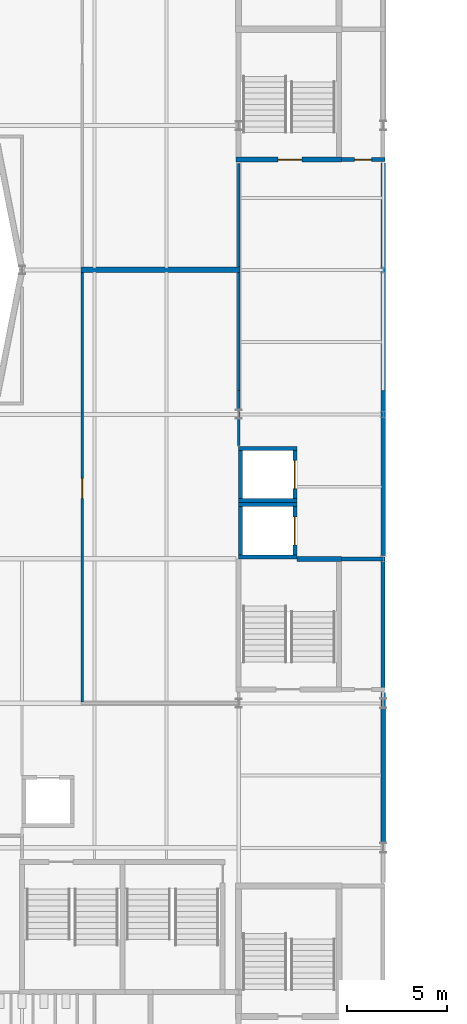
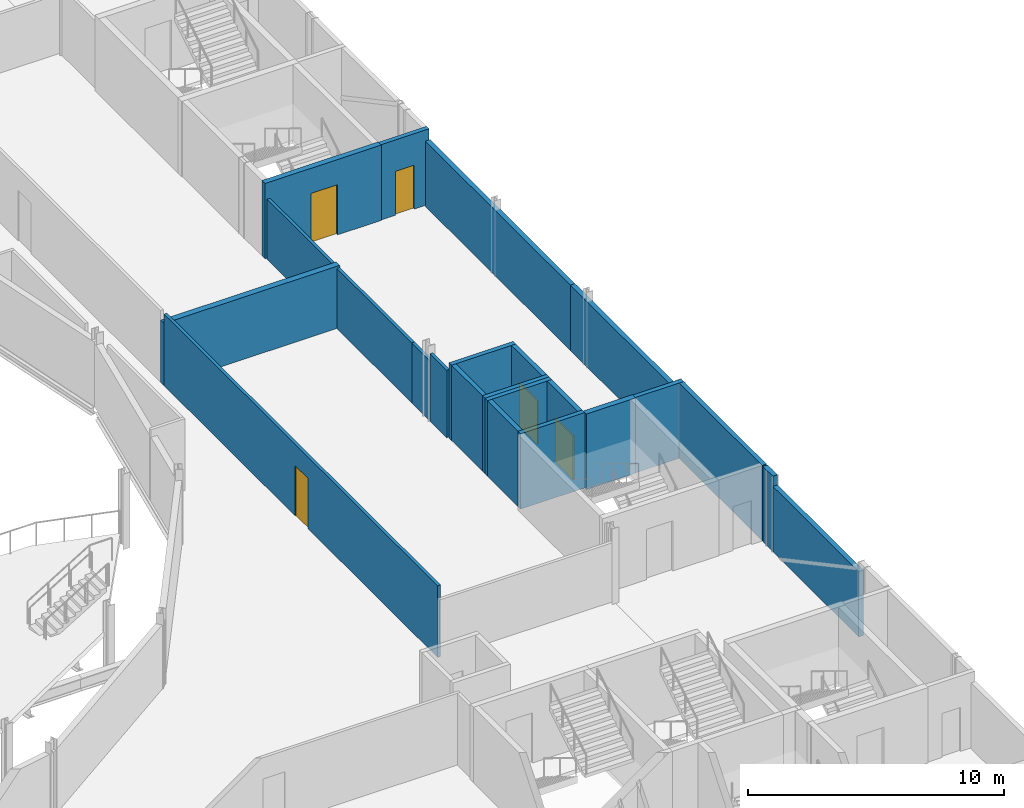
# One storey, part 70 of 124: 23 walls, 5 doors, 5 openings.
"""IFC4 building model written with IfcOpenShell, lengths in metres."""

from ifc_helpers import new_model, si_unit, direction, frame, frame_2d, origin, place, context, subcontext, project, spatial, rectangle, extrude, material, layer, layer_set, type_object, element, fill, save


model = new_model("IFC4")

# Units and contexts
model_context = context("Model", 3, precision=1e-05, world=origin(), true_north=direction((0.0, 1.0)))
body_context = subcontext(model_context, "Body", "Model", "MODEL_VIEW")
ifc_project = project(units=[si_unit("LENGTHUNIT", "METRE"), si_unit("AREAUNIT", "SQUARE_METRE"), si_unit("VOLUMEUNIT", "CUBIC_METRE"), si_unit("PLANEANGLEUNIT", "RADIAN"), si_unit("MASSUNIT", "GRAM", prefix="KILO")], contexts=[model_context])

# Site, building, storey
site_placement = place(None, origin())
site = spatial("IfcSite", under=ifc_project, at=site_placement, CompositionType="ELEMENT")
building_placement = place(site_placement, origin())
building = spatial("IfcBuilding", under=site, at=building_placement, Name="Kupolbacken Congress Centre", CompositionType="ELEMENT")
storey_placement = place(building_placement, frame((0.0, 0.0, 10.800048828125)))
storey = spatial("IfcBuildingStorey", under=building, at=storey_placement, Name="L03", CompositionType="ELEMENT", Elevation=10.800048828125)

# Walls
ifc_material_1 = material(Name="Gypsum board", Category="drywall")
ifc_layer_1 = layer(ifc_material_1, 0.135009765625)
ifc_layer_set_1 = layer_set([ifc_layer_1], Name="Gypsum board")
wall_type_1 = type_object("IfcWallType", Name="P06 compartment wall 135", PredefinedType="PARTITIONING", material=ifc_layer_set_1)
wall_1_placement = place(storey_placement, frame((79.199951171875, 77.659912109375, 0.0), z_axis=(0.0, 0.0, 1.0), x_axis=(0.0, 1.0, 0.0)))
element("IfcWall", 1, at=wall_1_placement, inside=storey, type_object=wall_type_1, Name="PD/L03/W011", PredefinedType="PARTITIONING", context=body_context, shape_type="SweptSolid", body=[
    extrude(rectangle(XDim=1.315185546875, YDim=0.135009765625, at=frame_2d((0.65771484375, 0.0))), origin(), (0.0, 0.0, 1.0), 3.219970703125),
])
wall_2_placement = place(storey_placement, frame((79.199951171875, 86.262451171875, 0.0), z_axis=(0.0, 0.0, 1.0), x_axis=(0.0, -1.0, 0.0)))
element("IfcWall", 2, at=wall_2_placement, inside=storey, type_object=wall_type_1, Name="PD/L03/W013", PredefinedType="PARTITIONING", context=body_context, shape_type="SweptSolid", body=[
    extrude(rectangle(XDim=5.862548828125, YDim=0.135009765625, at=frame_2d((2.93115234375, 0.0))), origin(), (0.0, 0.0, 1.0), 2.869873046875),
])
wall_3_placement = place(storey_placement, frame((79.199951171875, 91.715087890625, 0.0), z_axis=(0.0, 0.0, 1.0), x_axis=(0.0, -1.0, 0.0)))
element("IfcWall", 3, at=wall_3_placement, inside=storey, type_object=wall_type_1, Name="PD/L03/W014", PredefinedType="PARTITIONING", context=body_context, shape_type="SweptSolid", body=[
    extrude(rectangle(XDim=5.177490234375, YDim=0.135009765625, at=frame_2d((2.5888671875, 0.0))), origin(), (0.0, 0.0, 1.0), 2.869873046875),
])

# Wall, opening, door
wall_4_placement = place(storey_placement, frame((71.39990234375, 64.867431640625, 0.0), z_axis=(0.0, 0.0, 1.0), x_axis=(0.0, 1.0, 0.0)))
wall_4 = element("IfcWall", 4, at=wall_4_placement, inside=storey, type_object=wall_type_1, Name="PD/L03/W071", PredefinedType="PARTITIONING", context=body_context, shape_type="SweptSolid", body=[
    extrude(rectangle(XDim=21.39501953125, YDim=0.135009765625, at=frame_2d((10.697509765625, 0.0))), origin(), (0.0, 0.0, 1.0), 3.419921875),
])
opening_1_placement = place(wall_4_placement, frame((10.14990234375, 0.0, 0.0)))
opening_1 = element("IfcOpeningElement", 5, at=opening_1_placement, cuts=wall_4, Name="Opening 3.P17", PredefinedType="OPENING", context=body_context, shape_type="SweptSolid", body=[
    extrude(rectangle(XDim=1.0, YDim=2.39990234375, at=frame_2d((0.5, 1.199951171875))), frame((0.0, 0.077392578125, 0.0), z_axis=(0.0, -1.0, 0.0), x_axis=(1.0, 0.0, 0.0)), (0.0, 0.0, 1.0), 0.155029296875),
])
ifc_material_2 = material(Name="Steel fire door leaf", Category="steel")
door_type_1 = type_object("IfcDoorType", Name="D8 fire door 1000x2400", OperationType="SINGLE_SWING_LEFT", PredefinedType="DOOR", material=ifc_material_2)
door_1_placement = place(opening_1_placement, frame((1.0, 0.0, 0.0), z_axis=(0.0, 0.0, 1.0), x_axis=(-1.0, 0.0, 0.0)))
door_1 = element("IfcDoor", 6, at=door_1_placement, inside=storey, type_object=door_type_1, Name="PD/L03/W071/D3P17", OperationType="SINGLE_SWING_LEFT", OverallHeight=2.39990234375, OverallWidth=1.0, PredefinedType="DOOR", context=body_context, shape_type="SweptSolid", body=[
    extrude(rectangle(XDim=1.0, YDim=2.39990234375, at=frame_2d((0.5, 1.199951171875))), frame((0.0, 0.02490234375, 0.0), z_axis=(0.0, -1.0, 0.0), x_axis=(1.0, 0.0, 0.0)), (0.0, 0.0, 1.0), 0.050048828125),
])
fill(opening_1, door_1)

# Walls
wall_5_placement = place(storey_placement, frame((79.199951171875, 78.97509765625, 0.0), z_axis=(0.0, 0.0, 1.0), x_axis=(0.0, 1.0, 0.0)))
element("IfcWall", 7, at=wall_5_placement, inside=storey, type_object=wall_type_1, Name="PD/L03/W011.h1", PredefinedType="PARTITIONING", context=body_context, shape_type="SweptSolid", body=[
    extrude(rectangle(XDim=1.4248046875, YDim=0.135009765625, at=frame_2d((0.71240234375, 0.0))), origin(), (0.0, 0.0, 1.0), 2.869873046875),
])
ifc_material_3 = material(Name="Gypsum board", Category="drywall")
ifc_layer_2 = layer(ifc_material_3, 0.27490234375)
ifc_layer_set_2 = layer_set([ifc_layer_2], Name="Gypsum board")
wall_type_2 = type_object("IfcWallType", Name="P12 partition 275", PredefinedType="PARTITIONING", material=ifc_layer_set_2)
wall_6_placement = place(storey_placement, frame((71.33251953125, 86.39990234375, 0.0), z_axis=(0.0, 0.0, 1.0), x_axis=(1.0, 0.0, 0.0)))
element("IfcWall", 8, at=wall_6_placement, inside=storey, type_object=wall_type_2, Name="PD/L03/W069", PredefinedType="PARTITIONING", context=body_context, shape_type="SweptSolid", body=[
    extrude(rectangle(XDim=7.93505859375, YDim=0.27490234375, at=frame_2d((3.967529296875, 0.0))), origin(), (0.0, 0.0, 1.0), 2.969970703125),
])
ifc_material_4 = material(Name="Dense concrete block", Category="masonry")
ifc_layer_3 = layer(ifc_material_4, 0.215087890625)
ifc_layer_set_3 = layer_set([ifc_layer_3], Name="Dense concrete block")
wall_type_3 = type_object("IfcWallType", Name="P15 partition 215", PredefinedType="PARTITIONING", material=ifc_layer_set_3)
wall_7_placement = place(storey_placement, frame((86.39990234375, 80.39990234375, 0.0), z_axis=(0.0, 0.0, 1.0), x_axis=(0.0, -1.0, 0.0)))
element("IfcWall", 9, at=wall_7_placement, inside=storey, type_object=wall_type_3, Name="PD/L03/W012", PredefinedType="PARTITIONING", context=body_context, shape_type="SweptSolid", body=[
    extrude(rectangle(XDim=8.239990234375, YDim=0.215087890625, at=frame_2d((4.1201171875, 0.0))), origin(), (0.0, 0.0, 1.0), 3.119873046875),
])
wall_8_placement = place(storey_placement, frame((86.39990234375, 80.39990234375, 0.0), z_axis=(0.0, 0.0, 1.0), x_axis=(0.0, 1.0, 0.0)))
element("IfcWall", 10, at=wall_8_placement, inside=storey, type_object=wall_type_3, Name="PD/L03/W015", PredefinedType="PARTITIONING", context=body_context, shape_type="SweptSolid", body=[
    extrude(rectangle(XDim=11.340087890625, YDim=0.215087890625, at=frame_2d((5.669921875, 0.0))), origin(), (0.0, 0.0, 1.0), 3.119873046875),
])
wall_9_placement = place(storey_placement, frame((86.39990234375, 57.844970703125, 0.0), z_axis=(0.0, 0.0, 1.0), x_axis=(0.0, 1.0, 0.0)))
element("IfcWall", 11, at=wall_9_placement, inside=storey, type_object=wall_type_3, Name="PD/L03/W010.h1", PredefinedType="PARTITIONING", context=body_context, shape_type="SweptSolid", body=[
    extrude(rectangle(XDim=6.7099609375, YDim=0.215087890625, at=frame_2d((3.35498046875, 0.0))), origin(), (0.0, 0.0, 1.0), 3.119873046875),
])
wall_10_placement = place(storey_placement, frame((86.39990234375, 64.554931640625, 0.0), z_axis=(0.0, 0.0, 1.0), x_axis=(0.0, 1.0, 0.0)))
element("IfcWall", 12, at=wall_10_placement, inside=storey, type_object=wall_type_3, Name="PD/L03/W010.h2", PredefinedType="PARTITIONING", context=body_context, shape_type="SweptSolid", body=[
    extrude(rectangle(XDim=0.78515625, YDim=0.215087890625, at=frame_2d((0.392578125, 0.0))), origin(), (0.0, 0.0, 1.0), 3.599853515625),
])
ifc_material_5 = material(Name="Concrete C40/50", Category="concrete")
ifc_layer_4 = layer(ifc_material_5, 0.199951171875)
ifc_layer_set_4 = layer_set([ifc_layer_4], Name="Concrete C40/50")
wall_type_4 = type_object("IfcWallType", Name="WC1 RC shaft wall 200", PredefinedType="SHEAR", material=ifc_layer_set_4)
wall_11_placement = place(storey_placement, frame((86.39990234375, 65.39990234375, 0.0), z_axis=(0.0, 0.0, 1.0), x_axis=(0.0, 1.0, 0.0)))
element("IfcWall", 13, at=wall_11_placement, inside=storey, type_object=wall_type_4, Name="Shaft wall L03-048", PredefinedType="SHEAR", context=body_context, shape_type="SweptSolid", body=[
    extrude(rectangle(XDim=6.7001953125, YDim=0.199951171875, at=frame_2d((3.35009765625, 0.0))), origin(), (0.0, 0.0, 1.0), 3.599853515625),
])
wall_12_placement = place(storey_placement, frame((86.5, 72.0, 0.0), z_axis=(0.0, 0.0, 1.0), x_axis=(-1.0, 0.0, 0.0)))
element("IfcWall", 14, at=wall_12_placement, inside=storey, type_object=wall_type_4, Name="Shaft wall L03-051", PredefinedType="SHEAR", context=body_context, shape_type="SweptSolid", body=[
    extrude(rectangle(XDim=2.175048828125, YDim=0.199951171875, at=frame_2d((1.08740234375, 0.0))), origin(), (0.0, 0.0, 1.0), 3.599853515625),
])

# Wall, opening, door
wall_13_placement = place(storey_placement, frame((84.324951171875, 91.89990234375, 0.0), z_axis=(0.0, 0.0, 1.0), x_axis=(1.0, 0.0, 0.0)))
wall_13 = element("IfcWall", 15, at=wall_13_placement, inside=storey, type_object=wall_type_4, Name="Shaft wall L03-053", PredefinedType="SHEAR", context=body_context, shape_type="SweptSolid", body=[
    extrude(rectangle(XDim=2.175048828125, YDim=0.199951171875, at=frame_2d((1.08740234375, 0.0))), origin(), (0.0, 0.0, 1.0), 3.599853515625),
])
opening_2_placement = place(wall_13_placement, frame((0.64990234375, 0.0, 0.0)))
opening_2 = element("IfcOpeningElement", 16, at=opening_2_placement, cuts=wall_13, Name="Opening 3.L08", PredefinedType="OPENING", context=body_context, shape_type="SweptSolid", body=[
    extrude(rectangle(XDim=0.85009765625, YDim=2.10009765625, at=frame_2d((0.425048828125, 1.050048828125))), frame((0.0, 0.10986328125, 0.0), z_axis=(0.0, -1.0, 0.0), x_axis=(1.0, 0.0, 0.0)), (0.0, 0.0, 1.0), 0.219970703125),
])
ifc_material_6 = material(Name="Steel fire door leaf", Category="steel")
door_type_2 = type_object("IfcDoorType", Name="D3 fire door 850x2100", OperationType="SINGLE_SWING_LEFT", PredefinedType="DOOR", material=ifc_material_6)
door_2_placement = place(opening_2_placement, origin())
door_2 = element("IfcDoor", 17, at=door_2_placement, inside=storey, type_object=door_type_2, Name="S/core/L03/053/D3L08", OperationType="SINGLE_SWING_LEFT", OverallHeight=2.10009765625, OverallWidth=0.85009765625, PredefinedType="DOOR", context=body_context, shape_type="SweptSolid", body=[
    extrude(rectangle(XDim=0.85009765625, YDim=2.10009765625, at=frame_2d((0.425048828125, 1.050048828125))), frame((0.0, 0.02490234375, 0.0), z_axis=(0.0, -1.0, 0.0), x_axis=(1.0, 0.0, 0.0)), (0.0, 0.0, 1.0), 0.050048828125),
])
fill(opening_2, door_2)

# Walls
for number, where, z_axis, x_axis, name in (
    (18, (79.199951171875, 72.10009765625, 0.0), (0.0, 0.0, 1.0), (1.0, 0.0, 0.0), "Shaft wall LG3"),
    (19, (79.199951171875, 74.699951171875, 0.0), (0.0, 0.0, 1.0), (1.0, 0.0, 0.0), "Shaft wall LG3"),
):
    element("IfcWall", number, at=place(storey_placement, frame(where, z_axis=z_axis, x_axis=x_axis)), inside=storey, type_object=wall_type_4, Name=name, PredefinedType="SHEAR", context=body_context, shape_type="SweptSolid", body=[
        extrude(rectangle(XDim=2.900146484375, YDim=0.199951171875, at=frame_2d((1.4501953125, 0.0))), origin(), (0.0, 0.0, 1.0), 3.599853515625),
    ])
wall_14_placement = place(storey_placement, frame((79.300048828125, 72.199951171875, 0.0), z_axis=(0.0, 0.0, 1.0), x_axis=(0.0, 1.0, 0.0)))
element("IfcWall", 20, at=wall_14_placement, inside=storey, type_object=wall_type_4, Name="Shaft wall LG3", PredefinedType="SHEAR", context=body_context, shape_type="SweptSolid", body=[
    extrude(rectangle(XDim=2.400146484375, YDim=0.199951171875, at=frame_2d((1.2001953125, 0.0))), origin(), (0.0, 0.0, 1.0), 3.599853515625),
])

# Wall, opening, door
wall_15_placement = place(storey_placement, frame((82.0, 72.199951171875, 0.0), z_axis=(0.0, 0.0, 1.0), x_axis=(0.0, 1.0, 0.0)))
wall_15 = element("IfcWall", 21, at=wall_15_placement, inside=storey, type_object=wall_type_4, Name="Shaft wall LG3", PredefinedType="SHEAR", context=body_context, shape_type="SweptSolid", body=[
    extrude(rectangle(XDim=2.400146484375, YDim=0.199951171875, at=frame_2d((1.2001953125, 0.0))), origin(), (0.0, 0.0, 1.0), 3.599853515625),
])
opening_3_placement = place(wall_15_placement, frame((0.5, 0.0, 0.0)))
opening_3 = element("IfcOpeningElement", 22, at=opening_3_placement, cuts=wall_15, Name="Opening LD3", PredefinedType="OPENING", context=body_context, shape_type="SweptSolid", body=[
    extrude(rectangle(XDim=1.39990234375, YDim=2.10009765625, at=frame_2d((0.699951171875, 1.050048828125))), frame((0.0, 0.10986328125, 0.0), z_axis=(0.0, -1.0, 0.0), x_axis=(1.0, 0.0, 0.0)), (0.0, 0.0, 1.0), 0.219970703125),
])
ifc_material_7 = material(Name="Stainless steel door leaf", Category="steel")
door_type_3 = type_object("IfcDoorType", Name="LD3 lift landing door 1400x2100", OperationType="SLIDING_TO_LEFT", PredefinedType="DOOR", material=ifc_material_7)
door_3_placement = place(opening_3_placement, origin())
door_3 = element("IfcDoor", 23, at=door_3_placement, inside=storey, type_object=door_type_3, Name="Lift landing door LG3", OperationType="SLIDING_TO_LEFT", OverallHeight=2.10009765625, OverallWidth=1.39990234375, PredefinedType="DOOR", context=body_context, shape_type="SweptSolid", body=[
    extrude(rectangle(XDim=1.39990234375, YDim=2.10009765625, at=frame_2d((0.699951171875, 1.050048828125))), frame((0.0, 0.02490234375, 0.0), z_axis=(0.0, -1.0, 0.0), x_axis=(1.0, 0.0, 0.0)), (0.0, 0.0, 1.0), 0.050048828125),
])
fill(opening_3, door_3)

# Walls
for number, where, z_axis, x_axis, name in (
    (24, (79.199951171875, 74.89990234375, 0.0), (0.0, 0.0, 1.0), (1.0, 0.0, 0.0), "Shaft wall LG4"),
    (25, (79.199951171875, 77.5, 0.0), (0.0, 0.0, 1.0), (1.0, 0.0, 0.0), "Shaft wall LG4"),
):
    element("IfcWall", number, at=place(storey_placement, frame(where, z_axis=z_axis, x_axis=x_axis)), inside=storey, type_object=wall_type_4, Name=name, PredefinedType="SHEAR", context=body_context, shape_type="SweptSolid", body=[
        extrude(rectangle(XDim=2.900146484375, YDim=0.199951171875, at=frame_2d((1.4501953125, 0.0))), origin(), (0.0, 0.0, 1.0), 3.599853515625),
    ])
wall_16_placement = place(storey_placement, frame((79.300048828125, 75.0, 0.0), z_axis=(0.0, 0.0, 1.0), x_axis=(0.0, 1.0, 0.0)))
element("IfcWall", 26, at=wall_16_placement, inside=storey, type_object=wall_type_4, Name="Shaft wall LG4", PredefinedType="SHEAR", context=body_context, shape_type="SweptSolid", body=[
    extrude(rectangle(XDim=2.39990234375, YDim=0.199951171875, at=frame_2d((1.199951171875, 0.0))), origin(), (0.0, 0.0, 1.0), 3.599853515625),
])

# Wall, opening, door
wall_17_placement = place(storey_placement, frame((82.0, 75.0, 0.0), z_axis=(0.0, 0.0, 1.0), x_axis=(0.0, 1.0, 0.0)))
wall_17 = element("IfcWall", 27, at=wall_17_placement, inside=storey, type_object=wall_type_4, Name="Shaft wall LG4", PredefinedType="SHEAR", context=body_context, shape_type="SweptSolid", body=[
    extrude(rectangle(XDim=2.39990234375, YDim=0.199951171875, at=frame_2d((1.199951171875, 0.0))), origin(), (0.0, 0.0, 1.0), 3.599853515625),
])
opening_4_placement = place(wall_17_placement, frame((0.5, 0.0, 0.0)))
opening_4 = element("IfcOpeningElement", 28, at=opening_4_placement, cuts=wall_17, Name="Opening LD3", PredefinedType="OPENING", context=body_context, shape_type="SweptSolid", body=[
    extrude(rectangle(XDim=1.39990234375, YDim=2.10009765625, at=frame_2d((0.699951171875, 1.050048828125))), frame((0.0, 0.10986328125, 0.0), z_axis=(0.0, -1.0, 0.0), x_axis=(1.0, 0.0, 0.0)), (0.0, 0.0, 1.0), 0.219970703125),
])
door_4_placement = place(opening_4_placement, origin())
door_4 = element("IfcDoor", 29, at=door_4_placement, inside=storey, type_object=door_type_3, Name="Lift landing door LG4", OperationType="SLIDING_TO_LEFT", OverallHeight=2.10009765625, OverallWidth=1.39990234375, PredefinedType="DOOR", context=body_context, shape_type="SweptSolid", body=[
    extrude(rectangle(XDim=1.39990234375, YDim=2.10009765625, at=frame_2d((0.699951171875, 1.050048828125))), frame((0.0, 0.02490234375, 0.0), z_axis=(0.0, -1.0, 0.0), x_axis=(1.0, 0.0, 0.0)), (0.0, 0.0, 1.0), 0.050048828125),
])
fill(opening_4, door_4)

# Wall
ifc_material_8 = material(Name="Concrete C40/50", Category="concrete")
ifc_layer_5 = layer(ifc_material_8, 0.25)
ifc_layer_set_5 = layer_set([ifc_layer_5], Name="Concrete C40/50")
wall_type_5 = type_object("IfcWallType", Name="WC2 RC stair enclosure wall 250", PredefinedType="SHEAR", material=ifc_layer_set_5)
wall_18_placement = place(storey_placement, frame((82.10009765625, 72.0, 0.0), z_axis=(0.0, 0.0, 1.0), x_axis=(1.0, 0.0, 0.0)))
element("IfcWall", 30, at=wall_18_placement, inside=storey, type_object=wall_type_5, Name="Stair enclosure wall L03-050", PredefinedType="SHEAR", context=body_context, shape_type="SweptSolid", body=[
    extrude(rectangle(XDim=2.224853515625, YDim=0.25, at=frame_2d((1.1123046875, 0.0))), origin(), (0.0, 0.0, 1.0), 3.599853515625),
])

# Wall, opening, door
wall_19_placement = place(storey_placement, frame((79.074951171875, 91.89990234375, 0.0), z_axis=(0.0, 0.0, 1.0), x_axis=(1.0, 0.0, 0.0)))
wall_19 = element("IfcWall", 31, at=wall_19_placement, inside=storey, type_object=wall_type_5, Name="Stair enclosure wall L03-052", PredefinedType="SHEAR", context=body_context, shape_type="SweptSolid", body=[
    extrude(rectangle(XDim=5.25, YDim=0.25, at=frame_2d((2.625, 0.0))), origin(), (0.0, 0.0, 1.0), 3.599853515625),
])
opening_5_placement = place(wall_19_placement, frame((2.074951171875, 0.0, 0.0)))
opening_5 = element("IfcOpeningElement", 32, at=opening_5_placement, cuts=wall_19, Name="Opening 3.L03", PredefinedType="OPENING", context=body_context, shape_type="SweptSolid", body=[
    extrude(rectangle(XDim=1.199951171875, YDim=2.39990234375, at=frame_2d((0.60009765625, 1.199951171875))), frame((0.0, 0.135009765625, 0.0), z_axis=(0.0, -1.0, 0.0), x_axis=(1.0, 0.0, 0.0)), (0.0, 0.0, 1.0), 0.27001953125),
])
ifc_material_9 = material(Name="Steel fire door leaf", Category="steel")
door_type_4 = type_object("IfcDoorType", Name="D9 fire door 1200x2400", OperationType="SINGLE_SWING_LEFT", PredefinedType="DOOR", material=ifc_material_9)
door_5_placement = place(opening_5_placement, origin())
door_5 = element("IfcDoor", 33, at=door_5_placement, inside=storey, type_object=door_type_4, Name="S/core/L03/052/D3L03", OperationType="SINGLE_SWING_LEFT", OverallHeight=2.39990234375, OverallWidth=1.199951171875, PredefinedType="DOOR", context=body_context, shape_type="SweptSolid", body=[
    extrude(rectangle(XDim=1.199951171875, YDim=2.39990234375, at=frame_2d((0.60009765625, 1.199951171875))), frame((0.0, 0.02490234375, 0.0), z_axis=(0.0, -1.0, 0.0), x_axis=(1.0, 0.0, 0.0)), (0.0, 0.0, 1.0), 0.050048828125),
])
fill(opening_5, door_5)

save(model, "model.ifc")
